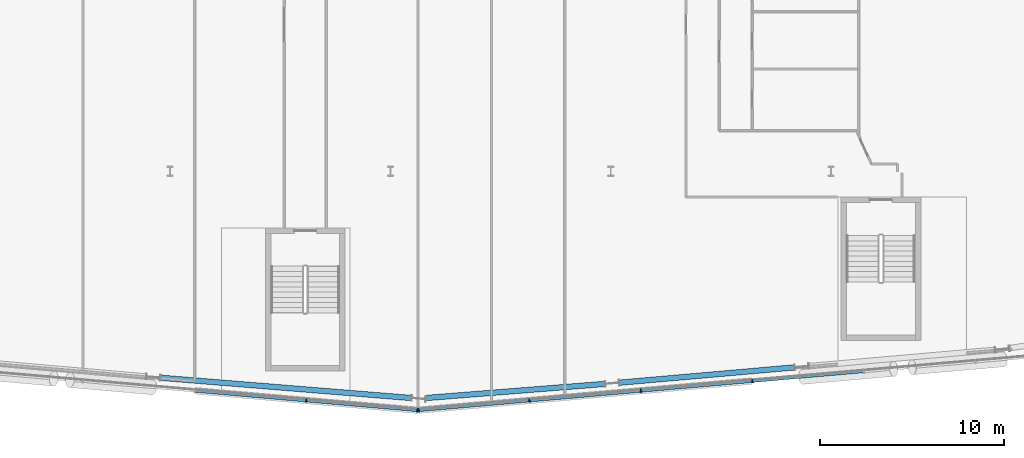
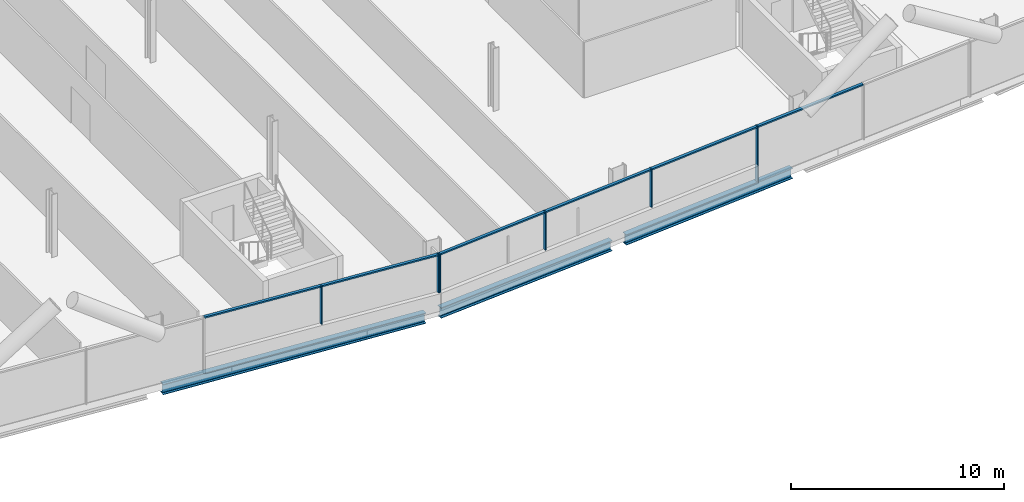
# One storey, part 7 of 25: 12 members, 3 beams, 2 elements without a shape of their own.
"""IFC4 building model written with IfcOpenShell, lengths in metres."""

from ifc_helpers import new_model, si_unit, direction, frame, origin, origin_2d, place, context, subcontext, project, spatial, rectangle, i_section, extrude, material, material_profile, profile_set, type_object, element, aggregate, save


model = new_model("IFC4")

# Units and contexts
model_context = context("Model", 3, precision=1e-05, world=origin(), true_north=direction((0.0, 1.0)))
body_context = subcontext(model_context, "Body", "Model", "MODEL_VIEW")
ifc_project = project(units=[si_unit("LENGTHUNIT", "METRE"), si_unit("AREAUNIT", "SQUARE_METRE"), si_unit("VOLUMEUNIT", "CUBIC_METRE"), si_unit("PLANEANGLEUNIT", "RADIAN"), si_unit("MASSUNIT", "GRAM", prefix="KILO")], contexts=[model_context])

# Site, building, storey
site_placement = place(None, origin())
site = spatial("IfcSite", under=ifc_project, at=site_placement, CompositionType="ELEMENT")
building_placement = place(site_placement, origin())
building = spatial("IfcBuilding", under=site, at=building_placement, Name="Wharfspan Tower", CompositionType="ELEMENT")
storey_placement = place(building_placement, frame((0.0, 0.0, 129.100098)))
storey = spatial("IfcBuildingStorey", under=building, at=storey_placement, Name="L30", CompositionType="ELEMENT", Elevation=129.100098)

# Beams
ifc_material_1 = material(Name="Steel S355J2", Category="steel")
ifc_material_profile_1 = material_profile(ifc_material_1, i_section(OverallWidth=0.300049, OverallDepth=0.600098, WebThickness=0.015381, FlangeThickness=0.030029, FilletRadius=0.0271, at=origin_2d()))
ifc_profile_set_1 = profile_set([ifc_material_profile_1], Name="Steel S355J2")
beam_type = type_object("IfcBeamType", Name="Edge beam HEB 600", PredefinedType="SPANDREL", material=ifc_profile_set_1)
beam_1_placement = place(storey_placement, frame((35.490967, 0.252197, -0.700195), z_axis=(0.996756, -0.080488, 0.0), x_axis=(0.080488, 0.996756, 0.0)))
element("IfcBeam", 1, at=beam_1_placement, inside=storey, type_object=beam_type, Name="Edge beam S1 L30 PS1.3 to PS1.4", PredefinedType="SPANDREL", context=body_context, shape_type="SweptSolid", body=[
    extrude(i_section(OverallWidth=0.300049, OverallDepth=0.600098, WebThickness=0.015381, FlangeThickness=0.030029, FilletRadius=0.0271, at=origin_2d()), origin(), (0.0, 0.0, 1.0), 13.683105),
])
beam_2_placement = place(storey_placement, frame((49.938721, -0.849365, -0.700195), z_axis=(0.996913, 0.078508, 0.0), x_axis=(-0.078508, 0.996913, 0.0)))
element("IfcBeam", 2, at=beam_2_placement, inside=storey, type_object=beam_type, Name="Edge beam S2 L30 PS1.4 to PS2.1", PredefinedType="SPANDREL", context=body_context, shape_type="SweptSolid", body=[
    extrude(i_section(OverallWidth=0.300049, OverallDepth=0.600098, WebThickness=0.015381, FlangeThickness=0.030029, FilletRadius=0.0271, at=origin_2d()), origin(), (0.0, 0.0, 1.0), 9.767578),
])
beam_3_placement = place(storey_placement, frame((60.479492, -0.015625, -0.700195), z_axis=(0.996194, 0.087164, 0.0), x_axis=(-0.087164, 0.996194, 0.0)))
element("IfcBeam", 3, at=beam_3_placement, inside=storey, type_object=beam_type, Name="Edge beam S2 L30 PS2.1 to PS2.2", PredefinedType="SPANDREL", context=body_context, shape_type="SweptSolid", body=[
    extrude(i_section(OverallWidth=0.300049, OverallDepth=0.600098, WebThickness=0.015381, FlangeThickness=0.030029, FilletRadius=0.0271, at=origin_2d()), origin(), (0.0, 0.0, 1.0), 9.55957),
])

# Curtain wall, members
ifc_material_2 = material(Name="Aluminium 6063-T6", Category="aluminium")
curtain_wall_type = type_object("IfcCurtainWallType", Name="CURTAIN WALL FACETED FRONT", PredefinedType="NOTDEFINED", material=ifc_material_2)
curtain_wall_1_placement = place(storey_placement, origin())
curtain_wall_1 = element("IfcCurtainWall", 4, at=curtain_wall_1_placement, inside=storey, type_object=curtain_wall_type, Name="Curtain wall S1", PredefinedType="NOTDEFINED")
ifc_material_profile_2 = material_profile(ifc_material_2, rectangle(XDim=0.199951, YDim=0.060059, at=origin_2d()))
ifc_profile_set_2 = profile_set([ifc_material_profile_2], Name="Aluminium 6063-T6")
member_type_1 = type_object("IfcMemberType", Name="MULLION FACETED FRONT 60x200", PredefinedType="MULLION", material=ifc_profile_set_2)
member_1_placement = place(storey_placement, frame((43.416748, -0.986084, 1.0), z_axis=(0.0, 0.0, 1.0), x_axis=(0.087156, 0.996198, 0.0)))
member_1 = element("IfcMember", 5, at=member_1_placement, type_object=member_type_1, Name="Curtain wall S1 mullion 6", PredefinedType="MULLION", context=body_context, shape_type="SweptSolid", body=[
    extrude(rectangle(XDim=0.199951, YDim=0.060059, at=origin_2d()), origin(), (0.0, 0.0, 1.0), 2.199951),
])
member_2_placement = place(storey_placement, frame((49.470215, -1.515625, 1.0), z_axis=(0.0, 0.0, 1.0), x_axis=(0.087156, 0.996198, 0.0)))
member_2 = element("IfcMember", 6, at=member_2_placement, type_object=member_type_1, Name="Curtain wall S1 mullion 7", PredefinedType="MULLION", context=body_context, shape_type="SweptSolid", body=[
    extrude(rectangle(XDim=0.199951, YDim=0.060059, at=origin_2d()), origin(), (0.0, 0.0, 1.0), 2.199951),
])

curtain_wall_2_placement = place(storey_placement, origin())
curtain_wall_2 = element("IfcCurtainWall", 7, at=curtain_wall_2_placement, inside=storey, type_object=curtain_wall_type, Name="Curtain wall S2", PredefinedType="NOTDEFINED")
member_3_placement = place(storey_placement, frame((49.529785, -1.515625, 1.0), z_axis=(0.0, 0.0, 1.0), x_axis=(-0.087156, 0.996198, 0.0)))
member_3 = element("IfcMember", 8, at=member_3_placement, type_object=member_type_1, Name="Curtain wall S2 mullion 1", PredefinedType="MULLION", context=body_context, shape_type="SweptSolid", body=[
    extrude(rectangle(XDim=0.199951, YDim=0.060059, at=origin_2d()), origin(), (0.0, 0.0, 1.0), 2.199951),
])
member_4_placement = place(storey_placement, frame((55.571533, -0.987061, 1.0), z_axis=(0.0, 0.0, 1.0), x_axis=(-0.087156, 0.996198, 0.0)))
member_4 = element("IfcMember", 9, at=member_4_placement, type_object=member_type_1, Name="Curtain wall S2 mullion 2", PredefinedType="MULLION", context=body_context, shape_type="SweptSolid", body=[
    extrude(rectangle(XDim=0.199951, YDim=0.060059, at=origin_2d()), origin(), (0.0, 0.0, 1.0), 2.199951),
])
member_5_placement = place(storey_placement, frame((61.642822, -0.455811, 1.0), z_axis=(0.0, 0.0, 1.0), x_axis=(-0.087156, 0.996198, 0.0)))
member_5 = element("IfcMember", 10, at=member_5_placement, type_object=member_type_1, Name="Curtain wall S2 mullion 3", PredefinedType="MULLION", context=body_context, shape_type="SweptSolid", body=[
    extrude(rectangle(XDim=0.199951, YDim=0.060059, at=origin_2d()), origin(), (0.0, 0.0, 1.0), 2.199951),
])
member_6_placement = place(storey_placement, frame((67.714355, 0.075195, 0.0), z_axis=(0.0, 0.0, 1.0), x_axis=(-0.087156, 0.996198, 0.0)))
member_6 = element("IfcMember", 11, at=member_6_placement, type_object=member_type_1, Name="Curtain wall S2 mullion 4", PredefinedType="MULLION", context=body_context, shape_type="SweptSolid", body=[
    extrude(rectangle(XDim=0.199951, YDim=0.060059, at=origin_2d()), origin(), (0.0, 0.0, 1.0), 3.199951),
])

# Member
ifc_material_profile_3 = material_profile(ifc_material_2, rectangle(XDim=0.159912, YDim=0.080078, at=origin_2d()))
ifc_profile_set_3 = profile_set([ifc_material_profile_3], Name="Aluminium 6063-T6")
member_type_2 = type_object("IfcMemberType", Name="TRANSOM FACETED FRONT 80x160", PredefinedType="USERDEFINED", material=ifc_profile_set_3)
member_7_placement = place(storey_placement, frame((37.363281, -0.456543, 3.159912), z_axis=(0.996197, -0.087135, 0.0), x_axis=(0.087135, 0.996197, 0.0)))
member_7 = element("IfcMember", 12, at=member_7_placement, type_object=member_type_2, Name="Curtain wall S1 transom 5", ObjectType="TRANSOM", PredefinedType="USERDEFINED", context=body_context, shape_type="SweptSolid", body=[
    extrude(rectangle(XDim=0.159912, YDim=0.080078, at=origin_2d()), origin(), (0.0, 0.0, 1.0), 6.046387),
])

member_8_placement = place(storey_placement, frame((43.446533, -0.98877, 3.159912), z_axis=(0.996198, -0.087122, 0.0), x_axis=(0.087122, 0.996198, 0.0)))
member_8 = element("IfcMember", 13, at=member_8_placement, type_object=member_type_2, Name="Curtain wall S1 transom 6", ObjectType="TRANSOM", PredefinedType="USERDEFINED", context=body_context, shape_type="SweptSolid", body=[
    extrude(rectangle(XDim=0.159912, YDim=0.080078, at=origin_2d()), origin(), (0.0, 0.0, 1.0), 6.016602),
])

aggregate(curtain_wall_1, [member_1, member_2, member_7, member_8])

member_9_placement = place(storey_placement, frame((49.559814, -1.512939, 3.159912), z_axis=(0.996197, 0.087133, 0.0), x_axis=(-0.087133, 0.996197, 0.0)))
member_9 = element("IfcMember", 14, at=member_9_placement, type_object=member_type_2, Name="Curtain wall S2 transom 1", ObjectType="TRANSOM", PredefinedType="USERDEFINED", context=body_context, shape_type="SweptSolid", body=[
    extrude(rectangle(XDim=0.159912, YDim=0.080078, at=origin_2d()), origin(), (0.0, 0.0, 1.0), 6.004639),
])

member_10_placement = place(storey_placement, frame((55.601318, -0.984375, 3.159912), z_axis=(0.996196, 0.087143, 0.0), x_axis=(-0.087143, 0.996196, 0.0)))
member_10 = element("IfcMember", 15, at=member_10_placement, type_object=member_type_2, Name="Curtain wall S2 transom 2", ObjectType="TRANSOM", PredefinedType="USERDEFINED", context=body_context, shape_type="SweptSolid", body=[
    extrude(rectangle(XDim=0.159912, YDim=0.080078, at=origin_2d()), origin(), (0.0, 0.0, 1.0), 6.034668),
])

member_11_placement = place(storey_placement, frame((61.672852, -0.453369, 3.159912), z_axis=(0.996192, 0.087187, 0.0), x_axis=(-0.087187, 0.996192, 0.0)))
member_11 = element("IfcMember", 16, at=member_11_placement, type_object=member_type_2, Name="Curtain wall S2 transom 3", ObjectType="TRANSOM", PredefinedType="USERDEFINED", context=body_context, shape_type="SweptSolid", body=[
    extrude(rectangle(XDim=0.159912, YDim=0.080078, at=origin_2d()), origin(), (0.0, 0.0, 1.0), 6.034424),
])

member_12_placement = place(storey_placement, frame((67.744141, 0.077881, 3.159912), z_axis=(0.996196, 0.087143, 0.0), x_axis=(-0.087143, 0.996196, 0.0)))
member_12 = element("IfcMember", 17, at=member_12_placement, type_object=member_type_2, Name="Curtain wall S2 transom 4", ObjectType="TRANSOM", PredefinedType="USERDEFINED", context=body_context, shape_type="SweptSolid", body=[
    extrude(rectangle(XDim=0.159912, YDim=0.080078, at=origin_2d()), origin(), (0.0, 0.0, 1.0), 6.034668),
])

aggregate(curtain_wall_2, [member_3, member_4, member_5, member_6, member_9, member_10, member_11, member_12])

save(model, "model.ifc")
